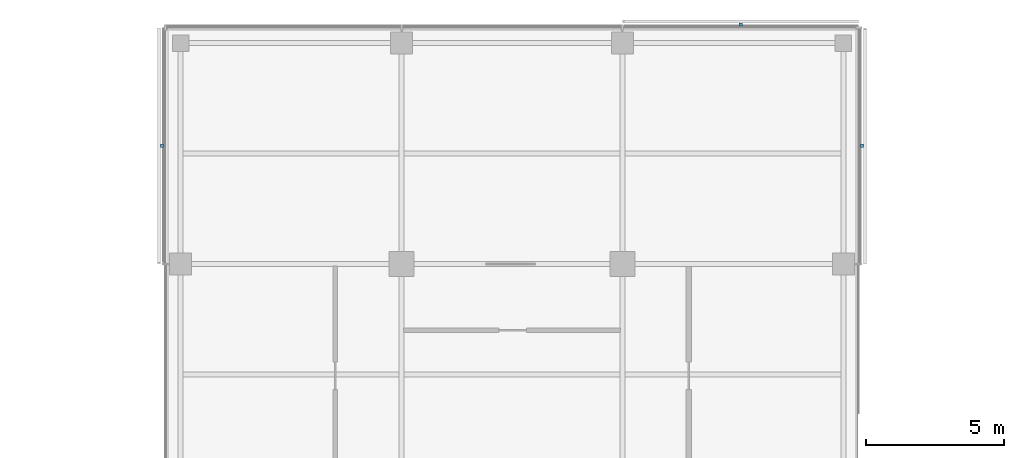
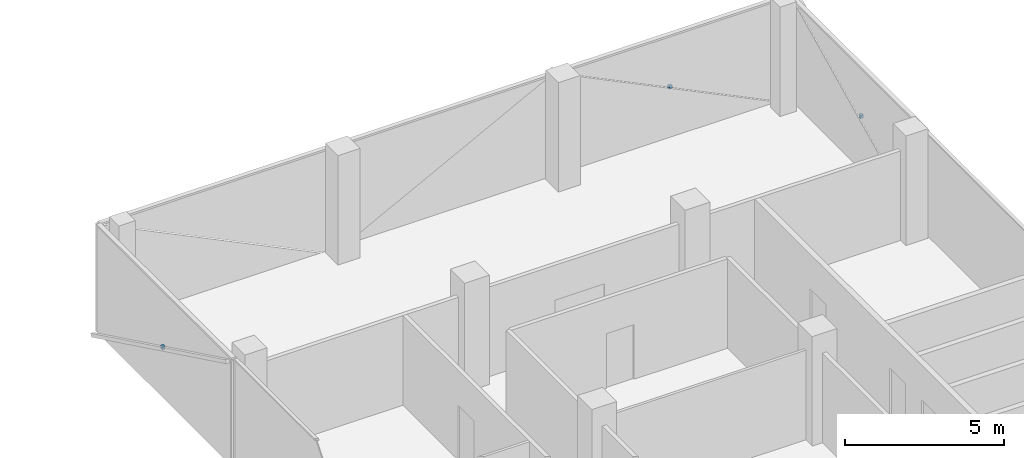
# One storey, part 15 of 16: 3 discrete accessories.
"""IFC4 building model written with IfcOpenShell, lengths in metres."""

from ifc_helpers import new_model, si_unit, direction, frame, origin, origin_2d, place, context, subcontext, project, spatial, rectangle, extrude, material, type_object, element, save


model = new_model("IFC4")

# Units and contexts
model_context = context("Model", 3, precision=1e-05, world=origin(), true_north=direction((0.0, 1.0)))
body_context = subcontext(model_context, "Body", "Model", "MODEL_VIEW")
ifc_project = project(units=[si_unit("LENGTHUNIT", "METRE"), si_unit("AREAUNIT", "SQUARE_METRE"), si_unit("VOLUMEUNIT", "CUBIC_METRE"), si_unit("PLANEANGLEUNIT", "RADIAN"), si_unit("MASSUNIT", "GRAM", prefix="KILO")], contexts=[model_context])

# Site, building, storey
site_placement = place(None, origin())
site = spatial("IfcSite", under=ifc_project, at=site_placement, CompositionType="ELEMENT")
building_placement = place(site_placement, origin())
building = spatial("IfcBuilding", under=site, at=building_placement, Name="Crosswind Convention Tower", CompositionType="ELEMENT")
storey_placement = place(building_placement, frame((0.0, 0.0, 216.699951171875)))
storey = spatial("IfcBuildingStorey", under=building, at=storey_placement, Name="L46", CompositionType="ELEMENT", Elevation=216.699951171875)

# Discrete accessories
ifc_material = material(Name="Stainless steel", Category="steel")
discrete_accessory_type = type_object("IfcDiscreteAccessoryType", Name="BAGUETTE BRACKET BK3", PredefinedType="BRACKET", material=ifc_material)
for number, where, z_axis, x_axis, name in (
    (1, (137.676025390625, 124.280029296875, 1.705078125), (0.0, 0.0, 1.0), (0.0, 1.0, 0.0), "BK3 baguette bracket"),
    (2, (133.280029296875, 128.676025390625, 1.705078125), (0.0, 0.0, 1.0), (-1.0, 0.0, 0.0), "BK3 baguette bracket"),
    (3, (112.323974609375, 124.280029296875, 1.705078125), (0.0, 0.0, 1.0), (0.0, -1.0, 0.0), "BK3 baguette bracket"),
):
    element("IfcDiscreteAccessory", number, at=place(storey_placement, frame(where, z_axis=z_axis, x_axis=x_axis)), inside=storey, type_object=discrete_accessory_type, Name=name, PredefinedType="BRACKET", context=body_context, shape_type="SweptSolid", body=[
        extrude(rectangle(XDim=0.1201171875, YDim=0.10009765625, at=origin_2d()), origin(), (0.0, 0.0, 1.0), 0.1201171875),
    ])

save(model, "model.ifc")
